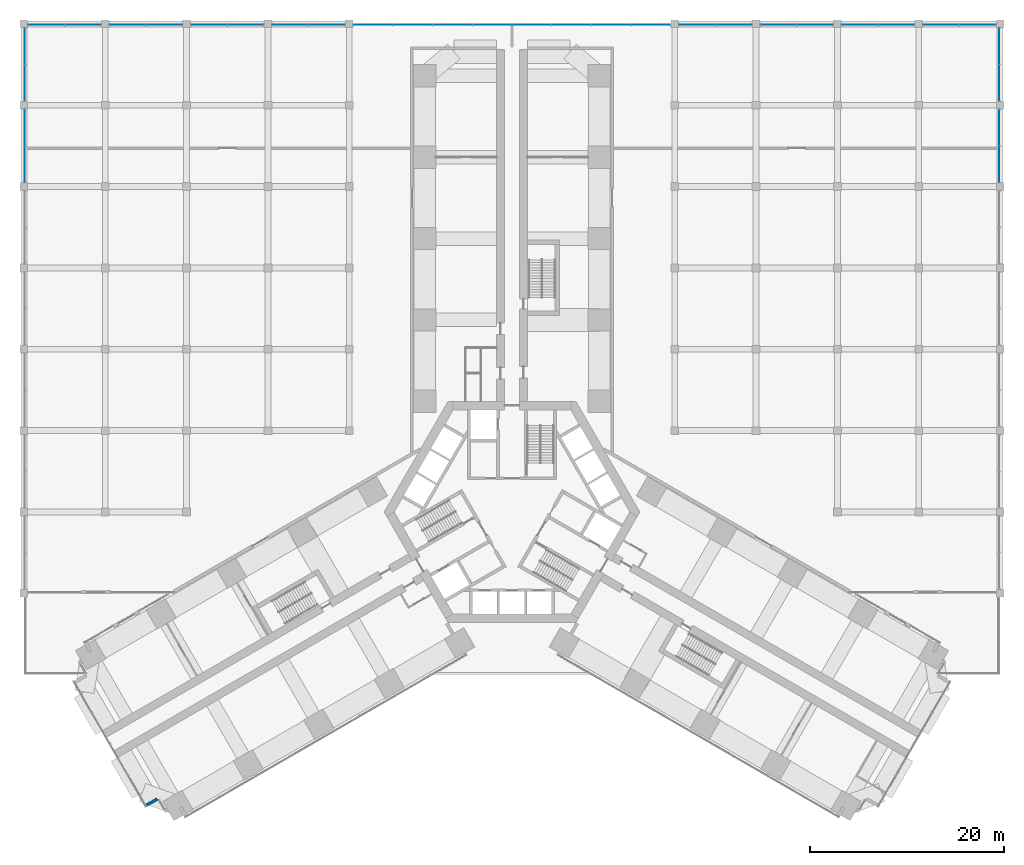
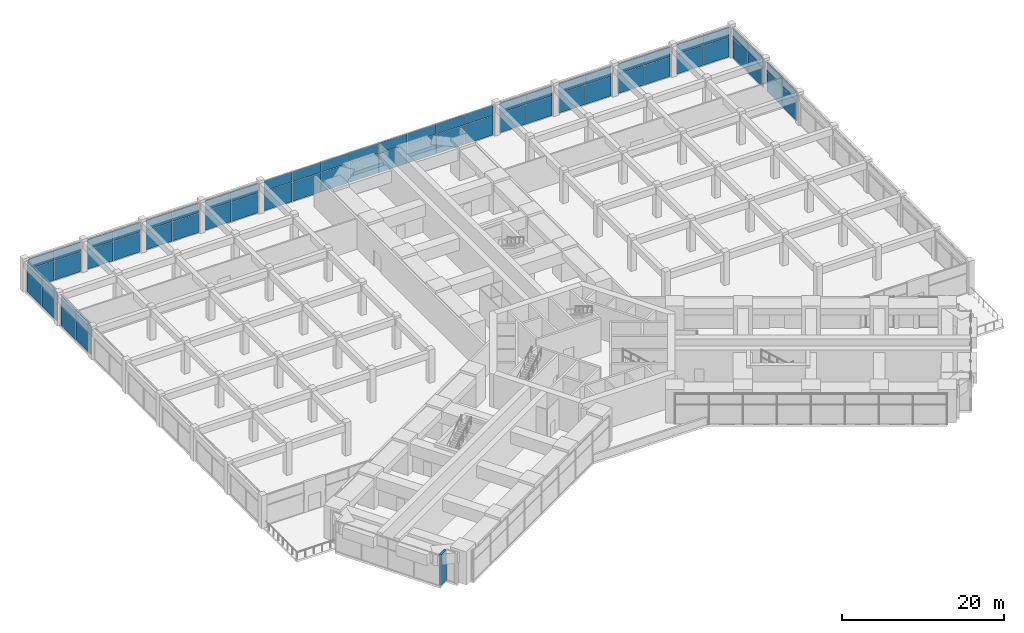
# One storey, part 26 of 33: 64 plates, 1 wall, 13 elements without a shape of their own.
"""IFC4 building model written with IfcOpenShell, lengths in metres."""

from ifc_helpers import new_model, si_unit, direction, frame, frame_2d, origin, origin_2d, place, context, subcontext, project, spatial, rectangle, extrude, material, layer, layer_set, type_object, element, aggregate, save


model = new_model("IFC4")

# Units and contexts
model_context = context("Model", 3, precision=1e-05, world=origin(), true_north=direction((0.0, 1.0)))
body_context = subcontext(model_context, "Body", "Model", "MODEL_VIEW")
ifc_project = project(units=[si_unit("LENGTHUNIT", "METRE"), si_unit("AREAUNIT", "SQUARE_METRE"), si_unit("VOLUMEUNIT", "CUBIC_METRE"), si_unit("PLANEANGLEUNIT", "RADIAN"), si_unit("MASSUNIT", "GRAM", prefix="KILO")], contexts=[model_context])

# Site, building, storey
site_placement = place(None, origin())
site = spatial("IfcSite", under=ifc_project, at=site_placement, CompositionType="ELEMENT")
building_placement = place(site_placement, origin())
building = spatial("IfcBuilding", under=site, at=building_placement, Name="Impinga Residences", CompositionType="ELEMENT")
storey_placement = place(building_placement, frame((0.0, 0.0, 21.0)))
storey = spatial("IfcBuildingStorey", under=building, at=storey_placement, Name="L04", CompositionType="ELEMENT", Elevation=21.0)

# Curtain wall, plates
ifc_material_1 = material(Name="Aluminium stick curtain wall", Category="aluminium")
curtain_wall_type = type_object("IfcCurtainWallType", Name="CW1 podium amenity curtain wall", PredefinedType="USERDEFINED", material=ifc_material_1)
curtain_wall_1_placement = place(storey_placement, origin())
curtain_wall_1 = element("IfcCurtainWall", 1, at=curtain_wall_1_placement, inside=storey, type_object=curtain_wall_type, Name="Curtain wall CW1 L04", ObjectType="STICK CURTAIN WALL", PredefinedType="USERDEFINED")
ifc_material_2 = material(Name="Clear double glazing", Category="glass")
ifc_layer_1 = layer(ifc_material_2, 0.028076171875)
ifc_layer_set_1 = layer_set([ifc_layer_1], Name="CW1-P clear double glazed panel 28")
plate_type = type_object("IfcPlateType", Name="CW1-P clear double glazed panel 28", PredefinedType="CURTAIN_PANEL", material=ifc_layer_set_1)
plate_1_placement = place(storey_placement, frame((-50.300048828125, 35.91650390625, 0.06005859375), z_axis=(0.0, 0.0, 1.0), x_axis=(0.0, 1.0, 0.0)))
plate_1 = element("IfcPlate", 2, at=plate_1_placement, type_object=plate_type, Name="CW1 panel 1.1", PredefinedType="CURTAIN_PANEL", context=body_context, shape_type="SweptSolid", body=[
    extrude(rectangle(XDim=3.70703125, YDim=0.028076171875, at=origin_2d()), origin(), (0.0, 0.0, 1.0), 2.909912109375),
])
plate_2_placement = place(storey_placement, frame((-50.300048828125, 35.91650390625, 3.02978515625), z_axis=(0.0, 0.0, 1.0), x_axis=(0.0, 1.0, 0.0)))
plate_2 = element("IfcPlate", 3, at=plate_2_placement, type_object=plate_type, Name="CW1 panel 1.2", PredefinedType="CURTAIN_PANEL", context=body_context, shape_type="SweptSolid", body=[
    extrude(rectangle(XDim=3.70703125, YDim=0.028076171875, at=origin_2d()), origin(), (0.0, 0.0, 1.0), 1.510009765625),
])
plate_3_placement = place(storey_placement, frame((-50.300048828125, 39.68359375, 0.06005859375), z_axis=(0.0, 0.0, 1.0), x_axis=(0.0, 1.0, 0.0)))
plate_3 = element("IfcPlate", 4, at=plate_3_placement, type_object=plate_type, Name="CW1 panel 2.1", PredefinedType="CURTAIN_PANEL", context=body_context, shape_type="SweptSolid", body=[
    extrude(rectangle(XDim=3.70703125, YDim=0.028076171875, at=origin_2d()), origin(), (0.0, 0.0, 1.0), 2.909912109375),
])
plate_4_placement = place(storey_placement, frame((-50.300048828125, 39.68359375, 3.02978515625), z_axis=(0.0, 0.0, 1.0), x_axis=(0.0, 1.0, 0.0)))
plate_4 = element("IfcPlate", 5, at=plate_4_placement, type_object=plate_type, Name="CW1 panel 2.2", PredefinedType="CURTAIN_PANEL", context=body_context, shape_type="SweptSolid", body=[
    extrude(rectangle(XDim=3.70703125, YDim=0.028076171875, at=origin_2d()), origin(), (0.0, 0.0, 1.0), 1.510009765625),
])
aggregate(curtain_wall_1, [plate_1, plate_2, plate_3, plate_4])

curtain_wall_2_placement = place(storey_placement, origin())
curtain_wall_2 = element("IfcCurtainWall", 6, at=curtain_wall_2_placement, inside=storey, type_object=curtain_wall_type, Name="Curtain wall CW1 L04", ObjectType="STICK CURTAIN WALL", PredefinedType="USERDEFINED")
plate_5_placement = place(storey_placement, frame((-50.300048828125, 44.31640625, 0.06005859375), z_axis=(0.0, 0.0, 1.0), x_axis=(0.0, 1.0, 0.0)))
plate_5 = element("IfcPlate", 7, at=plate_5_placement, type_object=plate_type, Name="CW1 panel 1.1", PredefinedType="CURTAIN_PANEL", context=body_context, shape_type="SweptSolid", body=[
    extrude(rectangle(XDim=3.70703125, YDim=0.028076171875, at=origin_2d()), origin(), (0.0, 0.0, 1.0), 2.909912109375),
])
plate_6_placement = place(storey_placement, frame((-50.300048828125, 44.31640625, 3.02978515625), z_axis=(0.0, 0.0, 1.0), x_axis=(0.0, 1.0, 0.0)))
plate_6 = element("IfcPlate", 8, at=plate_6_placement, type_object=plate_type, Name="CW1 panel 1.2", PredefinedType="CURTAIN_PANEL", context=body_context, shape_type="SweptSolid", body=[
    extrude(rectangle(XDim=3.70703125, YDim=0.028076171875, at=origin_2d()), origin(), (0.0, 0.0, 1.0), 1.510009765625),
])
plate_7_placement = place(storey_placement, frame((-50.300048828125, 48.08349609375, 0.06005859375), z_axis=(0.0, 0.0, 1.0), x_axis=(0.0, 1.0, 0.0)))
plate_7 = element("IfcPlate", 9, at=plate_7_placement, type_object=plate_type, Name="CW1 panel 2.1", PredefinedType="CURTAIN_PANEL", context=body_context, shape_type="SweptSolid", body=[
    extrude(rectangle(XDim=3.70703125, YDim=0.028076171875, at=origin_2d()), origin(), (0.0, 0.0, 1.0), 2.909912109375),
])
plate_8_placement = place(storey_placement, frame((-50.300048828125, 48.08349609375, 3.02978515625), z_axis=(0.0, 0.0, 1.0), x_axis=(0.0, 1.0, 0.0)))
plate_8 = element("IfcPlate", 10, at=plate_8_placement, type_object=plate_type, Name="CW1 panel 2.2", PredefinedType="CURTAIN_PANEL", context=body_context, shape_type="SweptSolid", body=[
    extrude(rectangle(XDim=3.70703125, YDim=0.028076171875, at=origin_2d()), origin(), (0.0, 0.0, 1.0), 1.510009765625),
])
aggregate(curtain_wall_2, [plate_5, plate_6, plate_7, plate_8])

curtain_wall_3_placement = place(storey_placement, origin())
curtain_wall_3 = element("IfcCurtainWall", 11, at=curtain_wall_3_placement, inside=storey, type_object=curtain_wall_type, Name="Curtain wall CW1 L04", ObjectType="STICK CURTAIN WALL", PredefinedType="USERDEFINED")
plate_9_placement = place(storey_placement, frame((-48.08349609375, 50.300048828125, 0.06005859375), z_axis=(0.0, 0.0, 1.0), x_axis=(1.0, 0.0, 0.0)))
plate_9 = element("IfcPlate", 12, at=plate_9_placement, type_object=plate_type, Name="CW1 panel 1.1", PredefinedType="CURTAIN_PANEL", context=body_context, shape_type="SweptSolid", body=[
    extrude(rectangle(XDim=3.70703125, YDim=0.028076171875, at=origin_2d()), origin(), (0.0, 0.0, 1.0), 2.909912109375),
])
plate_10_placement = place(storey_placement, frame((-48.08349609375, 50.300048828125, 3.02978515625), z_axis=(0.0, 0.0, 1.0), x_axis=(1.0, 0.0, 0.0)))
plate_10 = element("IfcPlate", 13, at=plate_10_placement, type_object=plate_type, Name="CW1 panel 1.2", PredefinedType="CURTAIN_PANEL", context=body_context, shape_type="SweptSolid", body=[
    extrude(rectangle(XDim=3.70703125, YDim=0.028076171875, at=origin_2d()), origin(), (0.0, 0.0, 1.0), 1.510009765625),
])
plate_11_placement = place(storey_placement, frame((-44.31640625, 50.300048828125, 0.06005859375), z_axis=(0.0, 0.0, 1.0), x_axis=(1.0, 0.0, 0.0)))
plate_11 = element("IfcPlate", 14, at=plate_11_placement, type_object=plate_type, Name="CW1 panel 2.1", PredefinedType="CURTAIN_PANEL", context=body_context, shape_type="SweptSolid", body=[
    extrude(rectangle(XDim=3.70703125, YDim=0.028076171875, at=origin_2d()), origin(), (0.0, 0.0, 1.0), 2.909912109375),
])
plate_12_placement = place(storey_placement, frame((-44.31640625, 50.300048828125, 3.02978515625), z_axis=(0.0, 0.0, 1.0), x_axis=(1.0, 0.0, 0.0)))
plate_12 = element("IfcPlate", 15, at=plate_12_placement, type_object=plate_type, Name="CW1 panel 2.2", PredefinedType="CURTAIN_PANEL", context=body_context, shape_type="SweptSolid", body=[
    extrude(rectangle(XDim=3.70703125, YDim=0.028076171875, at=origin_2d()), origin(), (0.0, 0.0, 1.0), 1.510009765625),
])
aggregate(curtain_wall_3, [plate_9, plate_10, plate_11, plate_12])

curtain_wall_4_placement = place(storey_placement, origin())
curtain_wall_4 = element("IfcCurtainWall", 16, at=curtain_wall_4_placement, inside=storey, type_object=curtain_wall_type, Name="Curtain wall CW1 L04", ObjectType="STICK CURTAIN WALL", PredefinedType="USERDEFINED")
plate_13_placement = place(storey_placement, frame((-39.68359375, 50.300048828125, 0.06005859375), z_axis=(0.0, 0.0, 1.0), x_axis=(1.0, 0.0, 0.0)))
plate_13 = element("IfcPlate", 17, at=plate_13_placement, type_object=plate_type, Name="CW1 panel 1.1", PredefinedType="CURTAIN_PANEL", context=body_context, shape_type="SweptSolid", body=[
    extrude(rectangle(XDim=3.70703125, YDim=0.028076171875, at=origin_2d()), origin(), (0.0, 0.0, 1.0), 2.909912109375),
])
plate_14_placement = place(storey_placement, frame((-39.68359375, 50.300048828125, 3.02978515625), z_axis=(0.0, 0.0, 1.0), x_axis=(1.0, 0.0, 0.0)))
plate_14 = element("IfcPlate", 18, at=plate_14_placement, type_object=plate_type, Name="CW1 panel 1.2", PredefinedType="CURTAIN_PANEL", context=body_context, shape_type="SweptSolid", body=[
    extrude(rectangle(XDim=3.70703125, YDim=0.028076171875, at=origin_2d()), origin(), (0.0, 0.0, 1.0), 1.510009765625),
])
plate_15_placement = place(storey_placement, frame((-35.91650390625, 50.300048828125, 0.06005859375), z_axis=(0.0, 0.0, 1.0), x_axis=(1.0, 0.0, 0.0)))
plate_15 = element("IfcPlate", 19, at=plate_15_placement, type_object=plate_type, Name="CW1 panel 2.1", PredefinedType="CURTAIN_PANEL", context=body_context, shape_type="SweptSolid", body=[
    extrude(rectangle(XDim=3.70703125, YDim=0.028076171875, at=origin_2d()), origin(), (0.0, 0.0, 1.0), 2.909912109375),
])
plate_16_placement = place(storey_placement, frame((-35.91650390625, 50.300048828125, 3.02978515625), z_axis=(0.0, 0.0, 1.0), x_axis=(1.0, 0.0, 0.0)))
plate_16 = element("IfcPlate", 20, at=plate_16_placement, type_object=plate_type, Name="CW1 panel 2.2", PredefinedType="CURTAIN_PANEL", context=body_context, shape_type="SweptSolid", body=[
    extrude(rectangle(XDim=3.70703125, YDim=0.028076171875, at=origin_2d()), origin(), (0.0, 0.0, 1.0), 1.510009765625),
])
aggregate(curtain_wall_4, [plate_13, plate_14, plate_15, plate_16])

curtain_wall_5_placement = place(storey_placement, origin())
curtain_wall_5 = element("IfcCurtainWall", 21, at=curtain_wall_5_placement, inside=storey, type_object=curtain_wall_type, Name="Curtain wall CW1 L04", ObjectType="STICK CURTAIN WALL", PredefinedType="USERDEFINED")
plate_17_placement = place(storey_placement, frame((-31.283447265625, 50.300048828125, 0.06005859375), z_axis=(0.0, 0.0, 1.0), x_axis=(1.0, 0.0, 0.0)))
plate_17 = element("IfcPlate", 22, at=plate_17_placement, type_object=plate_type, Name="CW1 panel 1.1", PredefinedType="CURTAIN_PANEL", context=body_context, shape_type="SweptSolid", body=[
    extrude(rectangle(XDim=3.70703125, YDim=0.028076171875, at=origin_2d()), origin(), (0.0, 0.0, 1.0), 2.909912109375),
])
plate_18_placement = place(storey_placement, frame((-31.283447265625, 50.300048828125, 3.02978515625), z_axis=(0.0, 0.0, 1.0), x_axis=(1.0, 0.0, 0.0)))
plate_18 = element("IfcPlate", 23, at=plate_18_placement, type_object=plate_type, Name="CW1 panel 1.2", PredefinedType="CURTAIN_PANEL", context=body_context, shape_type="SweptSolid", body=[
    extrude(rectangle(XDim=3.70703125, YDim=0.028076171875, at=origin_2d()), origin(), (0.0, 0.0, 1.0), 1.510009765625),
])
plate_19_placement = place(storey_placement, frame((-27.5166015625, 50.300048828125, 0.06005859375), z_axis=(0.0, 0.0, 1.0), x_axis=(1.0, 0.0, 0.0)))
plate_19 = element("IfcPlate", 24, at=plate_19_placement, type_object=plate_type, Name="CW1 panel 2.1", PredefinedType="CURTAIN_PANEL", context=body_context, shape_type="SweptSolid", body=[
    extrude(rectangle(XDim=3.70703125, YDim=0.028076171875, at=origin_2d()), origin(), (0.0, 0.0, 1.0), 2.909912109375),
])
plate_20_placement = place(storey_placement, frame((-27.5166015625, 50.300048828125, 3.02978515625), z_axis=(0.0, 0.0, 1.0), x_axis=(1.0, 0.0, 0.0)))
plate_20 = element("IfcPlate", 25, at=plate_20_placement, type_object=plate_type, Name="CW1 panel 2.2", PredefinedType="CURTAIN_PANEL", context=body_context, shape_type="SweptSolid", body=[
    extrude(rectangle(XDim=3.70703125, YDim=0.028076171875, at=origin_2d()), origin(), (0.0, 0.0, 1.0), 1.510009765625),
])
aggregate(curtain_wall_5, [plate_17, plate_18, plate_19, plate_20])

curtain_wall_6_placement = place(storey_placement, origin())
curtain_wall_6 = element("IfcCurtainWall", 26, at=curtain_wall_6_placement, inside=storey, type_object=curtain_wall_type, Name="Curtain wall CW1 L04", ObjectType="STICK CURTAIN WALL", PredefinedType="USERDEFINED")
plate_21_placement = place(storey_placement, frame((-22.883544921875, 50.300048828125, 0.06005859375), z_axis=(0.0, 0.0, 1.0), x_axis=(1.0, 0.0, 0.0)))
plate_21 = element("IfcPlate", 27, at=plate_21_placement, type_object=plate_type, Name="CW1 panel 1.1", PredefinedType="CURTAIN_PANEL", context=body_context, shape_type="SweptSolid", body=[
    extrude(rectangle(XDim=3.70703125, YDim=0.028076171875, at=origin_2d()), origin(), (0.0, 0.0, 1.0), 2.909912109375),
])
plate_22_placement = place(storey_placement, frame((-22.883544921875, 50.300048828125, 3.02978515625), z_axis=(0.0, 0.0, 1.0), x_axis=(1.0, 0.0, 0.0)))
plate_22 = element("IfcPlate", 28, at=plate_22_placement, type_object=plate_type, Name="CW1 panel 1.2", PredefinedType="CURTAIN_PANEL", context=body_context, shape_type="SweptSolid", body=[
    extrude(rectangle(XDim=3.70703125, YDim=0.028076171875, at=origin_2d()), origin(), (0.0, 0.0, 1.0), 1.510009765625),
])
plate_23_placement = place(storey_placement, frame((-19.116455078125, 50.300048828125, 0.06005859375), z_axis=(0.0, 0.0, 1.0), x_axis=(1.0, 0.0, 0.0)))
plate_23 = element("IfcPlate", 29, at=plate_23_placement, type_object=plate_type, Name="CW1 panel 2.1", PredefinedType="CURTAIN_PANEL", context=body_context, shape_type="SweptSolid", body=[
    extrude(rectangle(XDim=3.70703125, YDim=0.028076171875, at=origin_2d()), origin(), (0.0, 0.0, 1.0), 2.909912109375),
])
plate_24_placement = place(storey_placement, frame((-19.116455078125, 50.300048828125, 3.02978515625), z_axis=(0.0, 0.0, 1.0), x_axis=(1.0, 0.0, 0.0)))
plate_24 = element("IfcPlate", 30, at=plate_24_placement, type_object=plate_type, Name="CW1 panel 2.2", PredefinedType="CURTAIN_PANEL", context=body_context, shape_type="SweptSolid", body=[
    extrude(rectangle(XDim=3.70703125, YDim=0.028076171875, at=origin_2d()), origin(), (0.0, 0.0, 1.0), 1.510009765625),
])
aggregate(curtain_wall_6, [plate_21, plate_22, plate_23, plate_24])

curtain_wall_7_placement = place(storey_placement, origin())
curtain_wall_7 = element("IfcCurtainWall", 31, at=curtain_wall_7_placement, inside=storey, type_object=curtain_wall_type, Name="Curtain wall CW1 L04", ObjectType="STICK CURTAIN WALL", PredefinedType="USERDEFINED")
plate_25_placement = place(storey_placement, frame((-14.332275390625, 50.300048828125, 0.06005859375), z_axis=(0.0, 0.0, 1.0), x_axis=(1.0, 0.0, 0.0)))
plate_25 = element("IfcPlate", 32, at=plate_25_placement, type_object=plate_type, Name="CW1 panel 1.1", PredefinedType="CURTAIN_PANEL", context=body_context, shape_type="SweptSolid", body=[
    extrude(rectangle(XDim=4.00927734375, YDim=0.028076171875, at=origin_2d()), origin(), (0.0, 0.0, 1.0), 2.909912109375),
])
plate_26_placement = place(storey_placement, frame((-14.332275390625, 50.300048828125, 3.02978515625), z_axis=(0.0, 0.0, 1.0), x_axis=(1.0, 0.0, 0.0)))
plate_26 = element("IfcPlate", 33, at=plate_26_placement, type_object=plate_type, Name="CW1 panel 1.2", PredefinedType="CURTAIN_PANEL", context=body_context, shape_type="SweptSolid", body=[
    extrude(rectangle(XDim=4.00927734375, YDim=0.028076171875, at=origin_2d()), origin(), (0.0, 0.0, 1.0), 1.510009765625),
])
plate_27_placement = place(storey_placement, frame((-10.248046875, 50.300048828125, 0.06005859375), z_axis=(0.0, 0.0, 1.0), x_axis=(1.0, 0.0, 0.0)))
plate_27 = element("IfcPlate", 34, at=plate_27_placement, type_object=plate_type, Name="CW1 panel 2.1", PredefinedType="CURTAIN_PANEL", context=body_context, shape_type="SweptSolid", body=[
    extrude(rectangle(XDim=4.039306640625, YDim=0.028076171875, at=origin_2d()), origin(), (0.0, 0.0, 1.0), 2.909912109375),
])
plate_28_placement = place(storey_placement, frame((-10.248046875, 50.300048828125, 3.02978515625), z_axis=(0.0, 0.0, 1.0), x_axis=(1.0, 0.0, 0.0)))
plate_28 = element("IfcPlate", 35, at=plate_28_placement, type_object=plate_type, Name="CW1 panel 2.2", PredefinedType="CURTAIN_PANEL", context=body_context, shape_type="SweptSolid", body=[
    extrude(rectangle(XDim=4.039306640625, YDim=0.028076171875, at=origin_2d()), origin(), (0.0, 0.0, 1.0), 1.510009765625),
])
plate_29_placement = place(storey_placement, frame((-6.14892578125, 50.300048828125, 0.06005859375), z_axis=(0.0, 0.0, 1.0), x_axis=(1.0, 0.0, 0.0)))
plate_29 = element("IfcPlate", 36, at=plate_29_placement, type_object=plate_type, Name="CW1 panel 3.1", PredefinedType="CURTAIN_PANEL", context=body_context, shape_type="SweptSolid", body=[
    extrude(rectangle(XDim=4.039306640625, YDim=0.028076171875, at=origin_2d()), origin(), (0.0, 0.0, 1.0), 2.909912109375),
])
plate_30_placement = place(storey_placement, frame((-6.14892578125, 50.300048828125, 3.02978515625), z_axis=(0.0, 0.0, 1.0), x_axis=(1.0, 0.0, 0.0)))
plate_30 = element("IfcPlate", 37, at=plate_30_placement, type_object=plate_type, Name="CW1 panel 3.2", PredefinedType="CURTAIN_PANEL", context=body_context, shape_type="SweptSolid", body=[
    extrude(rectangle(XDim=4.039306640625, YDim=0.028076171875, at=origin_2d()), origin(), (0.0, 0.0, 1.0), 1.510009765625),
])
plate_31_placement = place(storey_placement, frame((-2.049560546875, 50.300048828125, 0.06005859375), z_axis=(0.0, 0.0, 1.0), x_axis=(1.0, 0.0, 0.0)))
plate_31 = element("IfcPlate", 38, at=plate_31_placement, type_object=plate_type, Name="CW1 panel 4.1", PredefinedType="CURTAIN_PANEL", context=body_context, shape_type="SweptSolid", body=[
    extrude(rectangle(XDim=4.039306640625, YDim=0.028076171875, at=origin_2d()), origin(), (0.0, 0.0, 1.0), 2.909912109375),
])
plate_32_placement = place(storey_placement, frame((-2.049560546875, 50.300048828125, 3.02978515625), z_axis=(0.0, 0.0, 1.0), x_axis=(1.0, 0.0, 0.0)))
plate_32 = element("IfcPlate", 39, at=plate_32_placement, type_object=plate_type, Name="CW1 panel 4.2", PredefinedType="CURTAIN_PANEL", context=body_context, shape_type="SweptSolid", body=[
    extrude(rectangle(XDim=4.039306640625, YDim=0.028076171875, at=origin_2d()), origin(), (0.0, 0.0, 1.0), 1.510009765625),
])
plate_33_placement = place(storey_placement, frame((2.049560546875, 50.300048828125, 0.06005859375), z_axis=(0.0, 0.0, 1.0), x_axis=(1.0, 0.0, 0.0)))
plate_33 = element("IfcPlate", 40, at=plate_33_placement, type_object=plate_type, Name="CW1 panel 5.1", PredefinedType="CURTAIN_PANEL", context=body_context, shape_type="SweptSolid", body=[
    extrude(rectangle(XDim=4.039306640625, YDim=0.028076171875, at=origin_2d()), origin(), (0.0, 0.0, 1.0), 2.909912109375),
])
plate_34_placement = place(storey_placement, frame((2.049560546875, 50.300048828125, 3.02978515625), z_axis=(0.0, 0.0, 1.0), x_axis=(1.0, 0.0, 0.0)))
plate_34 = element("IfcPlate", 41, at=plate_34_placement, type_object=plate_type, Name="CW1 panel 5.2", PredefinedType="CURTAIN_PANEL", context=body_context, shape_type="SweptSolid", body=[
    extrude(rectangle(XDim=4.039306640625, YDim=0.028076171875, at=origin_2d()), origin(), (0.0, 0.0, 1.0), 1.510009765625),
])
plate_35_placement = place(storey_placement, frame((6.14892578125, 50.300048828125, 0.06005859375), z_axis=(0.0, 0.0, 1.0), x_axis=(1.0, 0.0, 0.0)))
plate_35 = element("IfcPlate", 42, at=plate_35_placement, type_object=plate_type, Name="CW1 panel 6.1", PredefinedType="CURTAIN_PANEL", context=body_context, shape_type="SweptSolid", body=[
    extrude(rectangle(XDim=4.039306640625, YDim=0.028076171875, at=origin_2d()), origin(), (0.0, 0.0, 1.0), 2.909912109375),
])
plate_36_placement = place(storey_placement, frame((6.14892578125, 50.300048828125, 3.02978515625), z_axis=(0.0, 0.0, 1.0), x_axis=(1.0, 0.0, 0.0)))
plate_36 = element("IfcPlate", 43, at=plate_36_placement, type_object=plate_type, Name="CW1 panel 6.2", PredefinedType="CURTAIN_PANEL", context=body_context, shape_type="SweptSolid", body=[
    extrude(rectangle(XDim=4.039306640625, YDim=0.028076171875, at=origin_2d()), origin(), (0.0, 0.0, 1.0), 1.510009765625),
])
plate_37_placement = place(storey_placement, frame((10.248046875, 50.300048828125, 0.06005859375), z_axis=(0.0, 0.0, 1.0), x_axis=(1.0, 0.0, 0.0)))
plate_37 = element("IfcPlate", 44, at=plate_37_placement, type_object=plate_type, Name="CW1 panel 7.1", PredefinedType="CURTAIN_PANEL", context=body_context, shape_type="SweptSolid", body=[
    extrude(rectangle(XDim=4.039306640625, YDim=0.028076171875, at=origin_2d()), origin(), (0.0, 0.0, 1.0), 2.909912109375),
])
plate_38_placement = place(storey_placement, frame((10.248046875, 50.300048828125, 3.02978515625), z_axis=(0.0, 0.0, 1.0), x_axis=(1.0, 0.0, 0.0)))
plate_38 = element("IfcPlate", 45, at=plate_38_placement, type_object=plate_type, Name="CW1 panel 7.2", PredefinedType="CURTAIN_PANEL", context=body_context, shape_type="SweptSolid", body=[
    extrude(rectangle(XDim=4.039306640625, YDim=0.028076171875, at=origin_2d()), origin(), (0.0, 0.0, 1.0), 1.510009765625),
])
plate_39_placement = place(storey_placement, frame((14.332275390625, 50.300048828125, 0.06005859375), z_axis=(0.0, 0.0, 1.0), x_axis=(1.0, 0.0, 0.0)))
plate_39 = element("IfcPlate", 46, at=plate_39_placement, type_object=plate_type, Name="CW1 panel 8.1", PredefinedType="CURTAIN_PANEL", context=body_context, shape_type="SweptSolid", body=[
    extrude(rectangle(XDim=4.00927734375, YDim=0.028076171875, at=origin_2d()), origin(), (0.0, 0.0, 1.0), 2.909912109375),
])
plate_40_placement = place(storey_placement, frame((14.332275390625, 50.300048828125, 3.02978515625), z_axis=(0.0, 0.0, 1.0), x_axis=(1.0, 0.0, 0.0)))
plate_40 = element("IfcPlate", 47, at=plate_40_placement, type_object=plate_type, Name="CW1 panel 8.2", PredefinedType="CURTAIN_PANEL", context=body_context, shape_type="SweptSolid", body=[
    extrude(rectangle(XDim=4.00927734375, YDim=0.028076171875, at=origin_2d()), origin(), (0.0, 0.0, 1.0), 1.510009765625),
])
aggregate(curtain_wall_7, [plate_25, plate_26, plate_27, plate_28, plate_29, plate_30, plate_31, plate_32, plate_33, plate_34, plate_35, plate_36, plate_37, plate_38, plate_39, plate_40])

curtain_wall_8_placement = place(storey_placement, origin())
curtain_wall_8 = element("IfcCurtainWall", 48, at=curtain_wall_8_placement, inside=storey, type_object=curtain_wall_type, Name="Curtain wall CW1 L04", ObjectType="STICK CURTAIN WALL", PredefinedType="USERDEFINED")
plate_41_placement = place(storey_placement, frame((19.116455078125, 50.300048828125, 0.06005859375), z_axis=(0.0, 0.0, 1.0), x_axis=(1.0, 0.0, 0.0)))
plate_41 = element("IfcPlate", 49, at=plate_41_placement, type_object=plate_type, Name="CW1 panel 1.1", PredefinedType="CURTAIN_PANEL", context=body_context, shape_type="SweptSolid", body=[
    extrude(rectangle(XDim=3.70703125, YDim=0.028076171875, at=origin_2d()), origin(), (0.0, 0.0, 1.0), 2.909912109375),
])
plate_42_placement = place(storey_placement, frame((19.116455078125, 50.300048828125, 3.02978515625), z_axis=(0.0, 0.0, 1.0), x_axis=(1.0, 0.0, 0.0)))
plate_42 = element("IfcPlate", 50, at=plate_42_placement, type_object=plate_type, Name="CW1 panel 1.2", PredefinedType="CURTAIN_PANEL", context=body_context, shape_type="SweptSolid", body=[
    extrude(rectangle(XDim=3.70703125, YDim=0.028076171875, at=origin_2d()), origin(), (0.0, 0.0, 1.0), 1.510009765625),
])
plate_43_placement = place(storey_placement, frame((22.883544921875, 50.300048828125, 0.06005859375), z_axis=(0.0, 0.0, 1.0), x_axis=(1.0, 0.0, 0.0)))
plate_43 = element("IfcPlate", 51, at=plate_43_placement, type_object=plate_type, Name="CW1 panel 2.1", PredefinedType="CURTAIN_PANEL", context=body_context, shape_type="SweptSolid", body=[
    extrude(rectangle(XDim=3.70703125, YDim=0.028076171875, at=origin_2d()), origin(), (0.0, 0.0, 1.0), 2.909912109375),
])
plate_44_placement = place(storey_placement, frame((22.883544921875, 50.300048828125, 3.02978515625), z_axis=(0.0, 0.0, 1.0), x_axis=(1.0, 0.0, 0.0)))
plate_44 = element("IfcPlate", 52, at=plate_44_placement, type_object=plate_type, Name="CW1 panel 2.2", PredefinedType="CURTAIN_PANEL", context=body_context, shape_type="SweptSolid", body=[
    extrude(rectangle(XDim=3.70703125, YDim=0.028076171875, at=origin_2d()), origin(), (0.0, 0.0, 1.0), 1.510009765625),
])
aggregate(curtain_wall_8, [plate_41, plate_42, plate_43, plate_44])

curtain_wall_9_placement = place(storey_placement, origin())
curtain_wall_9 = element("IfcCurtainWall", 53, at=curtain_wall_9_placement, inside=storey, type_object=curtain_wall_type, Name="Curtain wall CW1 L04", ObjectType="STICK CURTAIN WALL", PredefinedType="USERDEFINED")
plate_45_placement = place(storey_placement, frame((27.5166015625, 50.300048828125, 0.06005859375), z_axis=(0.0, 0.0, 1.0), x_axis=(1.0, 0.0, 0.0)))
plate_45 = element("IfcPlate", 54, at=plate_45_placement, type_object=plate_type, Name="CW1 panel 1.1", PredefinedType="CURTAIN_PANEL", context=body_context, shape_type="SweptSolid", body=[
    extrude(rectangle(XDim=3.70703125, YDim=0.028076171875, at=origin_2d()), origin(), (0.0, 0.0, 1.0), 2.909912109375),
])
plate_46_placement = place(storey_placement, frame((27.5166015625, 50.300048828125, 3.02978515625), z_axis=(0.0, 0.0, 1.0), x_axis=(1.0, 0.0, 0.0)))
plate_46 = element("IfcPlate", 55, at=plate_46_placement, type_object=plate_type, Name="CW1 panel 1.2", PredefinedType="CURTAIN_PANEL", context=body_context, shape_type="SweptSolid", body=[
    extrude(rectangle(XDim=3.70703125, YDim=0.028076171875, at=origin_2d()), origin(), (0.0, 0.0, 1.0), 1.510009765625),
])
plate_47_placement = place(storey_placement, frame((31.283447265625, 50.300048828125, 0.06005859375), z_axis=(0.0, 0.0, 1.0), x_axis=(1.0, 0.0, 0.0)))
plate_47 = element("IfcPlate", 56, at=plate_47_placement, type_object=plate_type, Name="CW1 panel 2.1", PredefinedType="CURTAIN_PANEL", context=body_context, shape_type="SweptSolid", body=[
    extrude(rectangle(XDim=3.70703125, YDim=0.028076171875, at=origin_2d()), origin(), (0.0, 0.0, 1.0), 2.909912109375),
])
plate_48_placement = place(storey_placement, frame((31.283447265625, 50.300048828125, 3.02978515625), z_axis=(0.0, 0.0, 1.0), x_axis=(1.0, 0.0, 0.0)))
plate_48 = element("IfcPlate", 57, at=plate_48_placement, type_object=plate_type, Name="CW1 panel 2.2", PredefinedType="CURTAIN_PANEL", context=body_context, shape_type="SweptSolid", body=[
    extrude(rectangle(XDim=3.70703125, YDim=0.028076171875, at=origin_2d()), origin(), (0.0, 0.0, 1.0), 1.510009765625),
])
aggregate(curtain_wall_9, [plate_45, plate_46, plate_47, plate_48])

curtain_wall_10_placement = place(storey_placement, origin())
curtain_wall_10 = element("IfcCurtainWall", 58, at=curtain_wall_10_placement, inside=storey, type_object=curtain_wall_type, Name="Curtain wall CW1 L04", ObjectType="STICK CURTAIN WALL", PredefinedType="USERDEFINED")
plate_49_placement = place(storey_placement, frame((35.91650390625, 50.300048828125, 0.06005859375), z_axis=(0.0, 0.0, 1.0), x_axis=(1.0, 0.0, 0.0)))
plate_49 = element("IfcPlate", 59, at=plate_49_placement, type_object=plate_type, Name="CW1 panel 1.1", PredefinedType="CURTAIN_PANEL", context=body_context, shape_type="SweptSolid", body=[
    extrude(rectangle(XDim=3.70703125, YDim=0.028076171875, at=origin_2d()), origin(), (0.0, 0.0, 1.0), 2.909912109375),
])
plate_50_placement = place(storey_placement, frame((35.91650390625, 50.300048828125, 3.02978515625), z_axis=(0.0, 0.0, 1.0), x_axis=(1.0, 0.0, 0.0)))
plate_50 = element("IfcPlate", 60, at=plate_50_placement, type_object=plate_type, Name="CW1 panel 1.2", PredefinedType="CURTAIN_PANEL", context=body_context, shape_type="SweptSolid", body=[
    extrude(rectangle(XDim=3.70703125, YDim=0.028076171875, at=origin_2d()), origin(), (0.0, 0.0, 1.0), 1.510009765625),
])
plate_51_placement = place(storey_placement, frame((39.68359375, 50.300048828125, 0.06005859375), z_axis=(0.0, 0.0, 1.0), x_axis=(1.0, 0.0, 0.0)))
plate_51 = element("IfcPlate", 61, at=plate_51_placement, type_object=plate_type, Name="CW1 panel 2.1", PredefinedType="CURTAIN_PANEL", context=body_context, shape_type="SweptSolid", body=[
    extrude(rectangle(XDim=3.70703125, YDim=0.028076171875, at=origin_2d()), origin(), (0.0, 0.0, 1.0), 2.909912109375),
])
plate_52_placement = place(storey_placement, frame((39.68359375, 50.300048828125, 3.02978515625), z_axis=(0.0, 0.0, 1.0), x_axis=(1.0, 0.0, 0.0)))
plate_52 = element("IfcPlate", 62, at=plate_52_placement, type_object=plate_type, Name="CW1 panel 2.2", PredefinedType="CURTAIN_PANEL", context=body_context, shape_type="SweptSolid", body=[
    extrude(rectangle(XDim=3.70703125, YDim=0.028076171875, at=origin_2d()), origin(), (0.0, 0.0, 1.0), 1.510009765625),
])
aggregate(curtain_wall_10, [plate_49, plate_50, plate_51, plate_52])

curtain_wall_11_placement = place(storey_placement, origin())
curtain_wall_11 = element("IfcCurtainWall", 63, at=curtain_wall_11_placement, inside=storey, type_object=curtain_wall_type, Name="Curtain wall CW1 L04", ObjectType="STICK CURTAIN WALL", PredefinedType="USERDEFINED")
plate_53_placement = place(storey_placement, frame((44.31640625, 50.300048828125, 0.06005859375), z_axis=(0.0, 0.0, 1.0), x_axis=(1.0, 0.0, 0.0)))
plate_53 = element("IfcPlate", 64, at=plate_53_placement, type_object=plate_type, Name="CW1 panel 1.1", PredefinedType="CURTAIN_PANEL", context=body_context, shape_type="SweptSolid", body=[
    extrude(rectangle(XDim=3.70703125, YDim=0.028076171875, at=origin_2d()), origin(), (0.0, 0.0, 1.0), 2.909912109375),
])
plate_54_placement = place(storey_placement, frame((44.31640625, 50.300048828125, 3.02978515625), z_axis=(0.0, 0.0, 1.0), x_axis=(1.0, 0.0, 0.0)))
plate_54 = element("IfcPlate", 65, at=plate_54_placement, type_object=plate_type, Name="CW1 panel 1.2", PredefinedType="CURTAIN_PANEL", context=body_context, shape_type="SweptSolid", body=[
    extrude(rectangle(XDim=3.70703125, YDim=0.028076171875, at=origin_2d()), origin(), (0.0, 0.0, 1.0), 1.510009765625),
])
plate_55_placement = place(storey_placement, frame((48.08349609375, 50.300048828125, 0.06005859375), z_axis=(0.0, 0.0, 1.0), x_axis=(1.0, 0.0, 0.0)))
plate_55 = element("IfcPlate", 66, at=plate_55_placement, type_object=plate_type, Name="CW1 panel 2.1", PredefinedType="CURTAIN_PANEL", context=body_context, shape_type="SweptSolid", body=[
    extrude(rectangle(XDim=3.70703125, YDim=0.028076171875, at=origin_2d()), origin(), (0.0, 0.0, 1.0), 2.909912109375),
])
plate_56_placement = place(storey_placement, frame((48.08349609375, 50.300048828125, 3.02978515625), z_axis=(0.0, 0.0, 1.0), x_axis=(1.0, 0.0, 0.0)))
plate_56 = element("IfcPlate", 67, at=plate_56_placement, type_object=plate_type, Name="CW1 panel 2.2", PredefinedType="CURTAIN_PANEL", context=body_context, shape_type="SweptSolid", body=[
    extrude(rectangle(XDim=3.70703125, YDim=0.028076171875, at=origin_2d()), origin(), (0.0, 0.0, 1.0), 1.510009765625),
])
aggregate(curtain_wall_11, [plate_53, plate_54, plate_55, plate_56])

curtain_wall_12_placement = place(storey_placement, origin())
curtain_wall_12 = element("IfcCurtainWall", 68, at=curtain_wall_12_placement, inside=storey, type_object=curtain_wall_type, Name="Curtain wall CW1 L04", ObjectType="STICK CURTAIN WALL", PredefinedType="USERDEFINED")
plate_57_placement = place(storey_placement, frame((50.300048828125, 48.08349609375, 0.06005859375), z_axis=(0.0, 0.0, 1.0), x_axis=(0.0, -1.0, 0.0)))
plate_57 = element("IfcPlate", 69, at=plate_57_placement, type_object=plate_type, Name="CW1 panel 1.1", PredefinedType="CURTAIN_PANEL", context=body_context, shape_type="SweptSolid", body=[
    extrude(rectangle(XDim=3.70703125, YDim=0.028076171875, at=origin_2d()), origin(), (0.0, 0.0, 1.0), 2.909912109375),
])
plate_58_placement = place(storey_placement, frame((50.300048828125, 48.08349609375, 3.02978515625), z_axis=(0.0, 0.0, 1.0), x_axis=(0.0, -1.0, 0.0)))
plate_58 = element("IfcPlate", 70, at=plate_58_placement, type_object=plate_type, Name="CW1 panel 1.2", PredefinedType="CURTAIN_PANEL", context=body_context, shape_type="SweptSolid", body=[
    extrude(rectangle(XDim=3.70703125, YDim=0.028076171875, at=origin_2d()), origin(), (0.0, 0.0, 1.0), 1.510009765625),
])
plate_59_placement = place(storey_placement, frame((50.300048828125, 44.31640625, 0.06005859375), z_axis=(0.0, 0.0, 1.0), x_axis=(0.0, -1.0, 0.0)))
plate_59 = element("IfcPlate", 71, at=plate_59_placement, type_object=plate_type, Name="CW1 panel 2.1", PredefinedType="CURTAIN_PANEL", context=body_context, shape_type="SweptSolid", body=[
    extrude(rectangle(XDim=3.70703125, YDim=0.028076171875, at=origin_2d()), origin(), (0.0, 0.0, 1.0), 2.909912109375),
])
plate_60_placement = place(storey_placement, frame((50.300048828125, 44.31640625, 3.02978515625), z_axis=(0.0, 0.0, 1.0), x_axis=(0.0, -1.0, 0.0)))
plate_60 = element("IfcPlate", 72, at=plate_60_placement, type_object=plate_type, Name="CW1 panel 2.2", PredefinedType="CURTAIN_PANEL", context=body_context, shape_type="SweptSolid", body=[
    extrude(rectangle(XDim=3.70703125, YDim=0.028076171875, at=origin_2d()), origin(), (0.0, 0.0, 1.0), 1.510009765625),
])
aggregate(curtain_wall_12, [plate_57, plate_58, plate_59, plate_60])

curtain_wall_13_placement = place(storey_placement, origin())
curtain_wall_13 = element("IfcCurtainWall", 73, at=curtain_wall_13_placement, inside=storey, type_object=curtain_wall_type, Name="Curtain wall CW1 L04", ObjectType="STICK CURTAIN WALL", PredefinedType="USERDEFINED")
plate_61_placement = place(storey_placement, frame((50.300048828125, 39.68359375, 0.06005859375), z_axis=(0.0, 0.0, 1.0), x_axis=(0.0, -1.0, 0.0)))
plate_61 = element("IfcPlate", 74, at=plate_61_placement, type_object=plate_type, Name="CW1 panel 1.1", PredefinedType="CURTAIN_PANEL", context=body_context, shape_type="SweptSolid", body=[
    extrude(rectangle(XDim=3.70703125, YDim=0.028076171875, at=origin_2d()), origin(), (0.0, 0.0, 1.0), 2.909912109375),
])
plate_62_placement = place(storey_placement, frame((50.300048828125, 39.68359375, 3.02978515625), z_axis=(0.0, 0.0, 1.0), x_axis=(0.0, -1.0, 0.0)))
plate_62 = element("IfcPlate", 75, at=plate_62_placement, type_object=plate_type, Name="CW1 panel 1.2", PredefinedType="CURTAIN_PANEL", context=body_context, shape_type="SweptSolid", body=[
    extrude(rectangle(XDim=3.70703125, YDim=0.028076171875, at=origin_2d()), origin(), (0.0, 0.0, 1.0), 1.510009765625),
])
plate_63_placement = place(storey_placement, frame((50.300048828125, 35.91650390625, 0.06005859375), z_axis=(0.0, 0.0, 1.0), x_axis=(0.0, -1.0, 0.0)))
plate_63 = element("IfcPlate", 76, at=plate_63_placement, type_object=plate_type, Name="CW1 panel 2.1", PredefinedType="CURTAIN_PANEL", context=body_context, shape_type="SweptSolid", body=[
    extrude(rectangle(XDim=3.70703125, YDim=0.028076171875, at=origin_2d()), origin(), (0.0, 0.0, 1.0), 2.909912109375),
])
plate_64_placement = place(storey_placement, frame((50.300048828125, 35.91650390625, 3.02978515625), z_axis=(0.0, 0.0, 1.0), x_axis=(0.0, -1.0, 0.0)))
plate_64 = element("IfcPlate", 77, at=plate_64_placement, type_object=plate_type, Name="CW1 panel 2.2", PredefinedType="CURTAIN_PANEL", context=body_context, shape_type="SweptSolid", body=[
    extrude(rectangle(XDim=3.70703125, YDim=0.028076171875, at=origin_2d()), origin(), (0.0, 0.0, 1.0), 1.510009765625),
])
aggregate(curtain_wall_13, [plate_61, plate_62, plate_63, plate_64])

# Wall
ifc_material_3 = material(Name="Stone facing on blockwork", Category="masonry")
ifc_layer_2 = layer(ifc_material_3, 0.300048828125)
ifc_layer_set_2 = layer_set([ifc_layer_2], Name="EW2 external wall, stone facing on blockwork 300")
wall_type = type_object("IfcWallType", Name="EW2 external wall, stone facing on blockwork 300", PredefinedType="SOLIDWALL", material=ifc_layer_set_2)
wall_placement = place(storey_placement, frame((-36.6181640625, -29.628662109375, 0.0), z_axis=(0.0, 0.0, 1.0), x_axis=(-0.866101796549, -0.4998676605, 0.0)))
element("IfcWall", 78, at=wall_placement, inside=storey, type_object=wall_type, Name="External wall EW2 L04", PredefinedType="SOLIDWALL", context=body_context, shape_type="SweptSolid", body=[
    extrude(rectangle(XDim=1.309814453125, YDim=0.300048828125, at=frame_2d((0.65478515625, 0.0))), origin(), (0.0, 0.0, 1.0), 4.60009765625),
])

save(model, "model.ifc")
